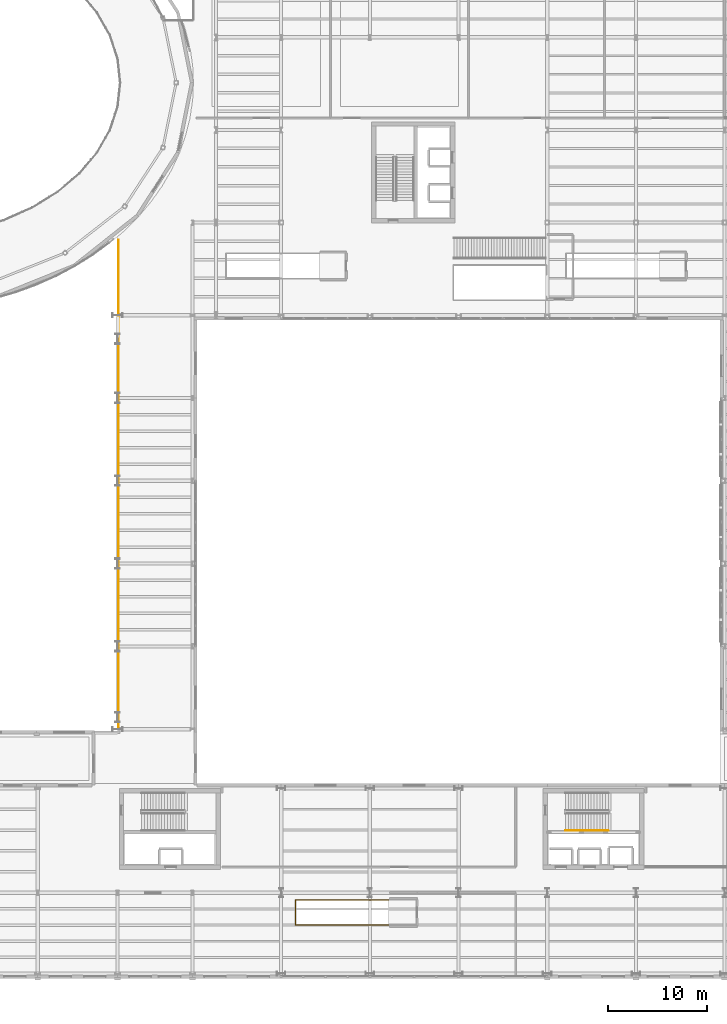
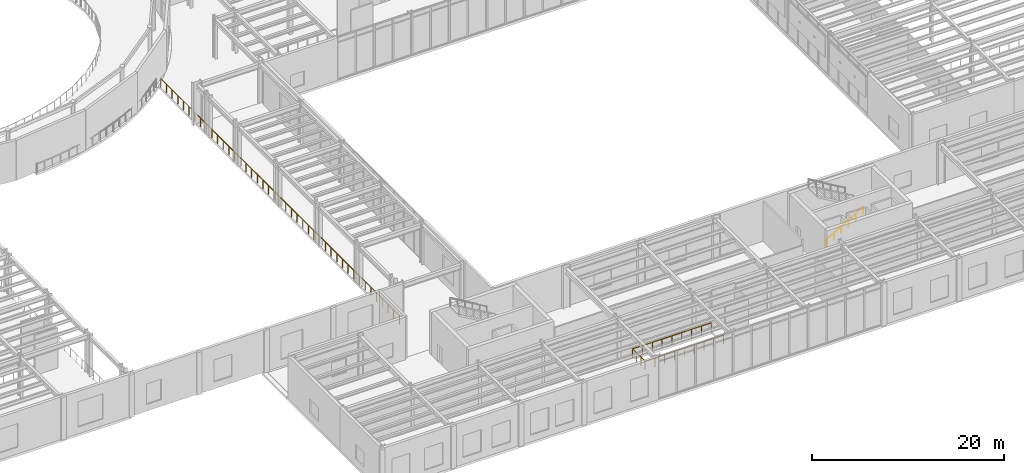
# One storey, part 89 of 98: 3 railings.
"""IFC4 building model written with IfcOpenShell, lengths in metres."""

from ifc_helpers import new_model, si_unit, direction, frame, origin, origin_2d, place, context, subcontext, project, spatial, circle, extrude, material, type_object, element, save


model = new_model("IFC4")

# Units and contexts
model_context = context("Model", 3, precision=1e-05, world=origin(), true_north=direction((0.0, 1.0)))
body_context = subcontext(model_context, "Body", "Model", "MODEL_VIEW")
ifc_project = project(units=[si_unit("LENGTHUNIT", "METRE"), si_unit("AREAUNIT", "SQUARE_METRE"), si_unit("VOLUMEUNIT", "CUBIC_METRE"), si_unit("PLANEANGLEUNIT", "RADIAN"), si_unit("MASSUNIT", "GRAM", prefix="KILO")], contexts=[model_context])

# Site, building, storey
site_placement = place(None, origin())
site = spatial("IfcSite", under=ifc_project, at=site_placement, CompositionType="ELEMENT")
building_placement = place(site_placement, origin())
building = spatial("IfcBuilding", under=site, at=building_placement, Name="Sollismere Congress Hotel", CompositionType="ELEMENT")
storey_placement = place(building_placement, frame((0.0, 0.0, 5.39990234375)))
storey = spatial("IfcBuildingStorey", under=building, at=storey_placement, Name="L01", CompositionType="ELEMENT", Elevation=5.39990234375)

# Railings
ifc_material_1 = material(Name="Steel ASTM A500 Grade C", Category="steel")
railing_type_1 = type_object("IfcRailingType", Name="RL-GRD112", PredefinedType="GUARDRAIL", material=ifc_material_1)
railing_1_placement = place(storey_placement, frame((77.89990234375, 4.919921875, 0.0)))
element("IfcRailing", 1, at=railing_1_placement, inside=storey, type_object=railing_type_1, Name="RLG-GDA-L01-004", PredefinedType="GUARDRAIL", context=body_context, shape_type="SweptSolid", body=[
    extrude(circle(Radius=0.02392578125, at=origin_2d()), frame((0.0, 0.0, 1.09619140625), z_axis=(-1.0, 0.0, 0.0), x_axis=(0.0, -1.0, 0.0)), (0.0, 0.0, 1.0), 9.429931640625),
    extrude(circle(Radius=0.02392578125, at=origin_2d()), frame((-9.429931640625, 0.0, 1.09619140625), z_axis=(0.0, 1.0, 0.0), x_axis=(-1.0, 0.0, 0.0)), (0.0, 0.0, 1.0), 2.56005859375),
    extrude(circle(Radius=0.02392578125, at=origin_2d()), frame((-9.429931640625, 2.56005859375, 1.09619140625), z_axis=(1.0, 0.0, 0.0), x_axis=(0.0, 1.0, 0.0)), (0.0, 0.0, 1.0), 9.429931640625),
    extrude(circle(Radius=0.02099609375, at=origin_2d()), origin(), (0.0, 0.0, 1.0), 1.072021484375),
    extrude(circle(Radius=0.02099609375, at=origin_2d()), frame((-1.1787109375, 0.0, 0.0)), (0.0, 0.0, 1.0), 1.072021484375),
    extrude(circle(Radius=0.02099609375, at=origin_2d()), frame((-2.357421875, 0.0, 0.0)), (0.0, 0.0, 1.0), 1.072021484375),
    extrude(circle(Radius=0.02099609375, at=origin_2d()), frame((-3.5361328125, 0.0, 0.0)), (0.0, 0.0, 1.0), 1.072021484375),
    extrude(circle(Radius=0.02099609375, at=origin_2d()), frame((-4.71484375, 0.0, 0.0)), (0.0, 0.0, 1.0), 1.072021484375),
    extrude(circle(Radius=0.02099609375, at=origin_2d()), frame((-5.893798828125, 0.0, 0.0)), (0.0, 0.0, 1.0), 1.072021484375),
    extrude(circle(Radius=0.02099609375, at=origin_2d()), frame((-7.072509765625, 0.0, 0.0)), (0.0, 0.0, 1.0), 1.072021484375),
    extrude(circle(Radius=0.02099609375, at=origin_2d()), frame((-8.251220703125, 0.0, 0.0)), (0.0, 0.0, 1.0), 1.072021484375),
    extrude(circle(Radius=0.02099609375, at=origin_2d()), frame((-9.429931640625, 0.0, 0.0)), (0.0, 0.0, 1.0), 1.072021484375),
    extrude(circle(Radius=0.02099609375, at=origin_2d()), frame((-9.429931640625, 0.853271484375, 0.0)), (0.0, 0.0, 1.0), 1.072021484375),
    extrude(circle(Radius=0.02099609375, at=origin_2d()), frame((-9.429931640625, 1.706787109375, 0.0)), (0.0, 0.0, 1.0), 1.072021484375),
    extrude(circle(Radius=0.02099609375, at=origin_2d()), frame((-9.429931640625, 2.56005859375, 0.0)), (0.0, 0.0, 1.0), 1.072021484375),
    extrude(circle(Radius=0.02099609375, at=origin_2d()), frame((-8.251220703125, 2.56005859375, 0.0)), (0.0, 0.0, 1.0), 1.072021484375),
    extrude(circle(Radius=0.02099609375, at=origin_2d()), frame((-7.072509765625, 2.56005859375, 0.0)), (0.0, 0.0, 1.0), 1.072021484375),
    extrude(circle(Radius=0.02099609375, at=origin_2d()), frame((-5.893798828125, 2.56005859375, 0.0)), (0.0, 0.0, 1.0), 1.072021484375),
    extrude(circle(Radius=0.02099609375, at=origin_2d()), frame((-4.71484375, 2.56005859375, 0.0)), (0.0, 0.0, 1.0), 1.072021484375),
    extrude(circle(Radius=0.02099609375, at=origin_2d()), frame((-3.5361328125, 2.56005859375, 0.0)), (0.0, 0.0, 1.0), 1.072021484375),
    extrude(circle(Radius=0.02099609375, at=origin_2d()), frame((-2.357421875, 2.56005859375, 0.0)), (0.0, 0.0, 1.0), 1.072021484375),
    extrude(circle(Radius=0.02099609375, at=origin_2d()), frame((-1.1787109375, 2.56005859375, 0.0)), (0.0, 0.0, 1.0), 1.072021484375),
    extrude(circle(Radius=0.02099609375, at=origin_2d()), frame((0.0, 2.56005859375, 0.0)), (0.0, 0.0, 1.0), 1.072021484375),
])
railing_2_placement = place(storey_placement, frame((50.47998046875, 24.85009765625, 0.0)))
element("IfcRailing", 2, at=railing_2_placement, inside=storey, type_object=railing_type_1, Name="RLG-GDA-L01-083", PredefinedType="GUARDRAIL", context=body_context, shape_type="SweptSolid", body=[
    extrude(circle(Radius=0.02392578125, at=origin_2d()), frame((0.0, 0.0, 1.09619140625), z_axis=(0.0, 1.0, 0.0), x_axis=(-1.0, 0.0, 0.0)), (0.0, 0.0, 1.0), 49.599853515625),
    extrude(circle(Radius=0.02099609375, at=origin_2d()), origin(), (0.0, 0.0, 1.0), 1.072021484375),
    extrude(circle(Radius=0.02099609375, at=origin_2d()), frame((0.0, 1.180908203125, 0.0)), (0.0, 0.0, 1.0), 1.072021484375),
    extrude(circle(Radius=0.02099609375, at=origin_2d()), frame((0.0, 2.36181640625, 0.0)), (0.0, 0.0, 1.0), 1.072021484375),
    extrude(circle(Radius=0.02099609375, at=origin_2d()), frame((0.0, 3.54296875, 0.0)), (0.0, 0.0, 1.0), 1.072021484375),
    extrude(circle(Radius=0.02099609375, at=origin_2d()), frame((0.0, 4.723876953125, 0.0)), (0.0, 0.0, 1.0), 1.072021484375),
    extrude(circle(Radius=0.02099609375, at=origin_2d()), frame((0.0, 5.90478515625, 0.0)), (0.0, 0.0, 1.0), 1.072021484375),
    extrude(circle(Radius=0.02099609375, at=origin_2d()), frame((0.0, 7.085693359375, 0.0)), (0.0, 0.0, 1.0), 1.072021484375),
    extrude(circle(Radius=0.02099609375, at=origin_2d()), frame((0.0, 8.2666015625, 0.0)), (0.0, 0.0, 1.0), 1.072021484375),
    extrude(circle(Radius=0.02099609375, at=origin_2d()), frame((0.0, 9.447509765625, 0.0)), (0.0, 0.0, 1.0), 1.072021484375),
    extrude(circle(Radius=0.02099609375, at=origin_2d()), frame((0.0, 10.62841796875, 0.0)), (0.0, 0.0, 1.0), 1.072021484375),
    extrude(circle(Radius=0.02099609375, at=origin_2d()), frame((0.0, 11.8095703125, 0.0)), (0.0, 0.0, 1.0), 1.072021484375),
    extrude(circle(Radius=0.02099609375, at=origin_2d()), frame((0.0, 12.990478515625, 0.0)), (0.0, 0.0, 1.0), 1.072021484375),
    extrude(circle(Radius=0.02099609375, at=origin_2d()), frame((0.0, 14.17138671875, 0.0)), (0.0, 0.0, 1.0), 1.072021484375),
    extrude(circle(Radius=0.02099609375, at=origin_2d()), frame((0.0, 15.352294921875, 0.0)), (0.0, 0.0, 1.0), 1.072021484375),
    extrude(circle(Radius=0.02099609375, at=origin_2d()), frame((0.0, 16.533203125, 0.0)), (0.0, 0.0, 1.0), 1.072021484375),
    extrude(circle(Radius=0.02099609375, at=origin_2d()), frame((0.0, 17.71435546875, 0.0)), (0.0, 0.0, 1.0), 1.072021484375),
    extrude(circle(Radius=0.02099609375, at=origin_2d()), frame((0.0, 18.895263671875, 0.0)), (0.0, 0.0, 1.0), 1.072021484375),
    extrude(circle(Radius=0.02099609375, at=origin_2d()), frame((0.0, 20.076171875, 0.0)), (0.0, 0.0, 1.0), 1.072021484375),
    extrude(circle(Radius=0.02099609375, at=origin_2d()), frame((0.0, 21.257080078125, 0.0)), (0.0, 0.0, 1.0), 1.072021484375),
    extrude(circle(Radius=0.02099609375, at=origin_2d()), frame((0.0, 22.43798828125, 0.0)), (0.0, 0.0, 1.0), 1.072021484375),
    extrude(circle(Radius=0.02099609375, at=origin_2d()), frame((0.0, 23.618896484375, 0.0)), (0.0, 0.0, 1.0), 1.072021484375),
    extrude(circle(Radius=0.02099609375, at=origin_2d()), frame((0.0, 24.7998046875, 0.0)), (0.0, 0.0, 1.0), 1.072021484375),
    extrude(circle(Radius=0.02099609375, at=origin_2d()), frame((0.0, 25.98095703125, 0.0)), (0.0, 0.0, 1.0), 1.072021484375),
    extrude(circle(Radius=0.02099609375, at=origin_2d()), frame((0.0, 27.161865234375, 0.0)), (0.0, 0.0, 1.0), 1.072021484375),
    extrude(circle(Radius=0.02099609375, at=origin_2d()), frame((0.0, 28.3427734375, 0.0)), (0.0, 0.0, 1.0), 1.072021484375),
    extrude(circle(Radius=0.02099609375, at=origin_2d()), frame((0.0, 29.523681640625, 0.0)), (0.0, 0.0, 1.0), 1.072021484375),
    extrude(circle(Radius=0.02099609375, at=origin_2d()), frame((0.0, 30.70458984375, 0.0)), (0.0, 0.0, 1.0), 1.072021484375),
    extrude(circle(Radius=0.02099609375, at=origin_2d()), frame((0.0, 31.8857421875, 0.0)), (0.0, 0.0, 1.0), 1.072021484375),
    extrude(circle(Radius=0.02099609375, at=origin_2d()), frame((0.0, 33.066650390625, 0.0)), (0.0, 0.0, 1.0), 1.072021484375),
    extrude(circle(Radius=0.02099609375, at=origin_2d()), frame((0.0, 34.24755859375, 0.0)), (0.0, 0.0, 1.0), 1.072021484375),
    extrude(circle(Radius=0.02099609375, at=origin_2d()), frame((0.0, 35.428466796875, 0.0)), (0.0, 0.0, 1.0), 1.072021484375),
    extrude(circle(Radius=0.02099609375, at=origin_2d()), frame((0.0, 36.609375, 0.0)), (0.0, 0.0, 1.0), 1.072021484375),
    extrude(circle(Radius=0.02099609375, at=origin_2d()), frame((0.0, 37.790283203125, 0.0)), (0.0, 0.0, 1.0), 1.072021484375),
    extrude(circle(Radius=0.02099609375, at=origin_2d()), frame((0.0, 38.97119140625, 0.0)), (0.0, 0.0, 1.0), 1.072021484375),
    extrude(circle(Radius=0.02099609375, at=origin_2d()), frame((0.0, 40.15234375, 0.0)), (0.0, 0.0, 1.0), 1.072021484375),
    extrude(circle(Radius=0.02099609375, at=origin_2d()), frame((0.0, 41.333251953125, 0.0)), (0.0, 0.0, 1.0), 1.072021484375),
    extrude(circle(Radius=0.02099609375, at=origin_2d()), frame((0.0, 42.51416015625, 0.0)), (0.0, 0.0, 1.0), 1.072021484375),
    extrude(circle(Radius=0.02099609375, at=origin_2d()), frame((0.0, 43.695068359375, 0.0)), (0.0, 0.0, 1.0), 1.072021484375),
    extrude(circle(Radius=0.02099609375, at=origin_2d()), frame((0.0, 44.8759765625, 0.0)), (0.0, 0.0, 1.0), 1.072021484375),
    extrude(circle(Radius=0.02099609375, at=origin_2d()), frame((0.0, 46.05712890625, 0.0)), (0.0, 0.0, 1.0), 1.072021484375),
    extrude(circle(Radius=0.02099609375, at=origin_2d()), frame((0.0, 47.238037109375, 0.0)), (0.0, 0.0, 1.0), 1.072021484375),
    extrude(circle(Radius=0.02099609375, at=origin_2d()), frame((0.0, 48.4189453125, 0.0)), (0.0, 0.0, 1.0), 1.072021484375),
    extrude(circle(Radius=0.02099609375, at=origin_2d()), frame((0.0, 49.599853515625, 0.0)), (0.0, 0.0, 1.0), 1.072021484375),
])
ifc_material_2 = material(Name="Brushed Architectural Bronze")
railing_type_2 = type_object("IfcRailingType", Name="RL-HND90", PredefinedType="HANDRAIL", material=ifc_material_2)
railing_3_placement = place(storey_placement, frame((95.85009765625, 14.5, 0.3134765625)))
element("IfcRailing", 3, at=railing_3_placement, inside=storey, type_object=railing_type_2, Name="RLG-RH-ST-02-L01-1", PredefinedType="HANDRAIL", context=body_context, shape_type="SweptSolid", body=[
    extrude(circle(Radius=0.02392578125, at=origin_2d()), frame((0.0, 0.0, 0.8759765625), z_axis=(0.864311530196, 0.0, 0.502956835891), x_axis=(0.0, 1.0, 0.0)), (0.0, 0.0, 1.0), 5.03271484375),
    extrude(circle(Radius=0.02099609375, at=origin_2d()), origin(), (0.0, 0.0, 1.0), 0.851806640625),
    extrude(circle(Radius=0.02099609375, at=origin_2d()), frame((0.869873046875, 0.0, 0.50634765625)), (0.0, 0.0, 1.0), 0.851806640625),
    extrude(circle(Radius=0.02099609375, at=origin_2d()), frame((1.739990234375, 0.0, 1.012451171875)), (0.0, 0.0, 1.0), 0.851806640625),
    extrude(circle(Radius=0.02099609375, at=origin_2d()), frame((2.60986328125, 0.0, 1.518798828125)), (0.0, 0.0, 1.0), 0.851806640625),
    extrude(circle(Radius=0.02099609375, at=origin_2d()), frame((3.47998046875, 0.0, 2.02490234375)), (0.0, 0.0, 1.0), 0.851806640625),
    extrude(circle(Radius=0.02099609375, at=origin_2d()), frame((4.349853515625, 0.0, 2.53125)), (0.0, 0.0, 1.0), 0.851806640625),
])

save(model, "model.ifc")
